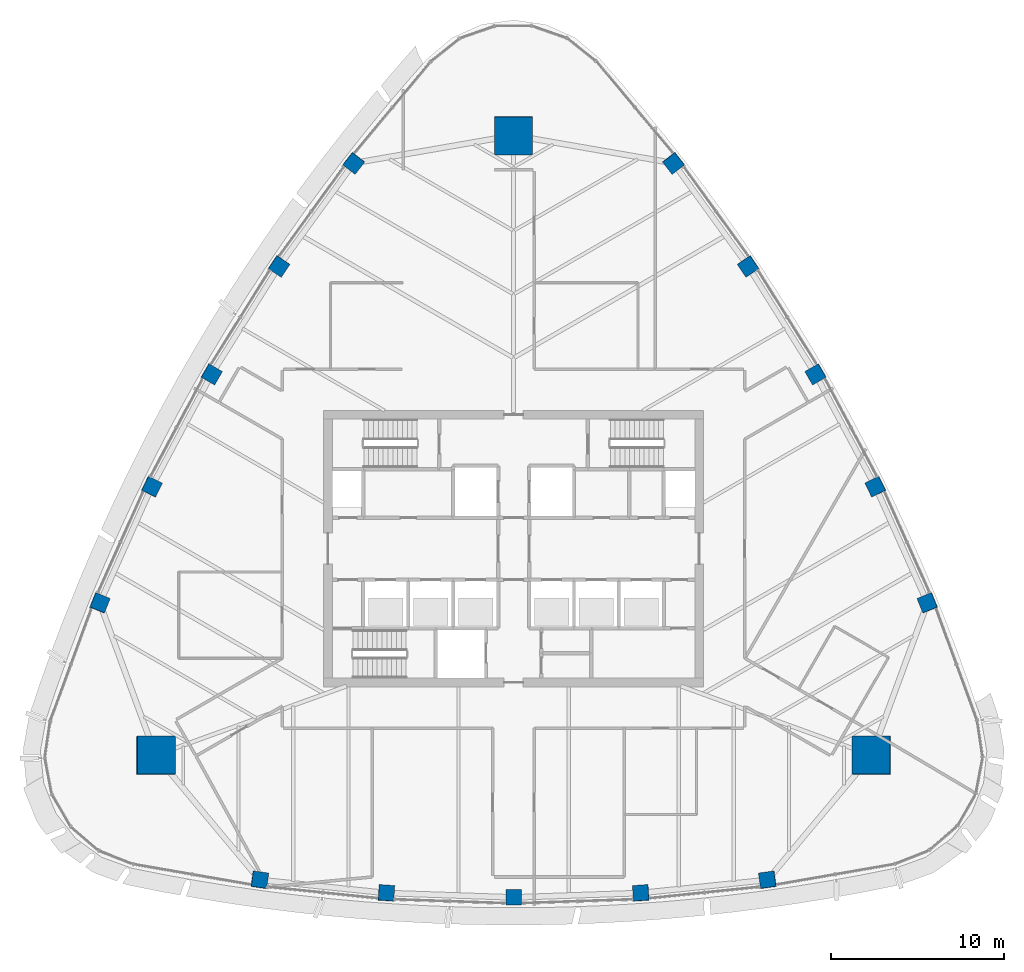
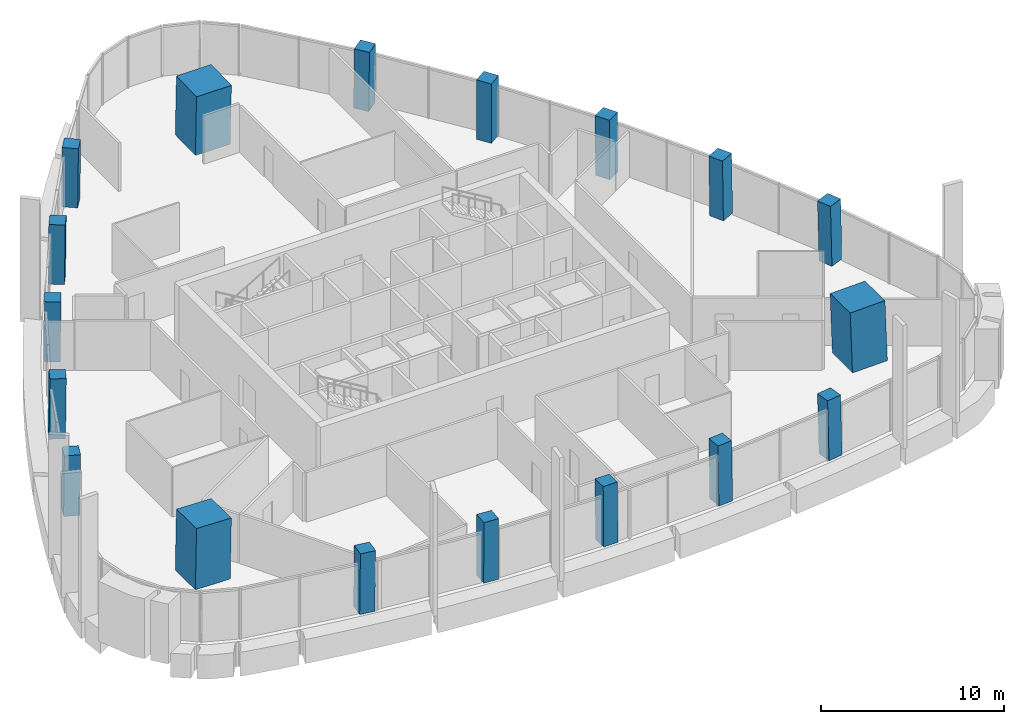
# One storey, part 1 of 18: 18 columns.
"""IFC4 building model written with IfcOpenShell, lengths in metres."""

from ifc_helpers import new_model, si_unit, direction, frame, origin, origin_2d, place, context, subcontext, project, spatial, rectangle, extrude, material, material_profile, profile_set, type_object, element, save


model = new_model("IFC4")

# Units and contexts
model_context = context("Model", 3, precision=1e-05, world=origin(), true_north=direction((0.0, 1.0)))
body_context = subcontext(model_context, "Body", "Model", "MODEL_VIEW")
ifc_project = project(units=[si_unit("LENGTHUNIT", "METRE"), si_unit("AREAUNIT", "SQUARE_METRE"), si_unit("VOLUMEUNIT", "CUBIC_METRE"), si_unit("PLANEANGLEUNIT", "RADIAN"), si_unit("MASSUNIT", "GRAM", prefix="KILO")], contexts=[model_context])

# Site, building, storey
site_placement = place(None, origin())
site = spatial("IfcSite", under=ifc_project, at=site_placement, CompositionType="ELEMENT")
building_placement = place(site_placement, origin())
building = spatial("IfcBuilding", under=site, at=building_placement, Name="Sierra Prisma Convention Tower", CompositionType="ELEMENT")
storey_placement = place(building_placement, frame((0.0, 0.0, 287.0)))
storey = spatial("IfcBuildingStorey", under=building, at=storey_placement, Name="L65", CompositionType="ELEMENT", Elevation=287.0)

# Columns
ifc_material_1 = material(Name="Concrete C50/60", Category="concrete")
ifc_material_profile_1 = material_profile(ifc_material_1, rectangle(XDim=2.199951171875, YDim=2.199951171875, at=origin_2d()), Name="Mega column RC 2200 C50/60")
ifc_profile_set_1 = profile_set([ifc_material_profile_1], Name="Concrete C50/60")
column_type_1 = type_object("IfcColumnType", Name="Mega column RC 2200 C50/60", PredefinedType="COLUMN", material=ifc_profile_set_1)
for number, where, z_axis, x_axis, name in (
    (1, (20.733154296875, -11.97021484375, 0.0), (-0.027756747396, 0.015983006193, 0.999486921619), (0.999614707262, 0.000443807261, 0.027753199115), "Mega column SE L65"),
    (2, (0.0, 23.940673828125, 0.0), (0.0, -0.032027018848, 0.999487003449), (1.0, 0.0, 0.0), "Mega column N L65"),
    (3, (-20.733154296875, -11.97021484375, 0.0), (0.027756747396, 0.015983006193, 0.999486921619), (0.999614707262, -0.000443807261, -0.027753199115), "Mega column SW L65"),
):
    element("IfcColumn", number, at=place(storey_placement, frame(where, z_axis=z_axis, x_axis=x_axis)), inside=storey, type_object=column_type_1, Name=name, PredefinedType="COLUMN", context=body_context, shape_type="SweptSolid", body=[
        extrude(rectangle(XDim=2.199951171875, YDim=2.199951171875, at=origin_2d()), origin(), (0.0, 0.0, 1.0), 4.001953125),
    ])
ifc_material_2 = material(Name="Concrete C50/60", Category="concrete")
ifc_material_profile_2 = material_profile(ifc_material_2, rectangle(XDim=0.89990234375, YDim=0.89990234375, at=origin_2d()), Name="Perimeter column RC 900 C50/60")
ifc_profile_set_2 = profile_set([ifc_material_profile_2], Name="Concrete C50/60")
column_type_2 = type_object("IfcColumnType", Name="Perimeter column RC 900 C50/60", PredefinedType="COLUMN", material=ifc_profile_set_2)
column_1_placement = place(storey_placement, frame((-14.71142578125, -19.189208984375, 0.0), z_axis=(0.017452456582, 0.010373837829, 0.999793876381), x_axis=(-0.990401248392, 0.137308803417, 0.015863785428)))
element("IfcColumn", 4, at=column_1_placement, inside=storey, type_object=column_type_2, Name="Perimeter column S-1 L65", PredefinedType="COLUMN", context=body_context, shape_type="SweptSolid", body=[
    extrude(rectangle(XDim=0.89990234375, YDim=0.89990234375, at=origin_2d()), origin(), (0.0, 0.0, 1.0), 4.000732421875),
])
column_2_placement = place(storey_placement, frame((-7.373046875, -19.94921875, 0.0), z_axis=(0.008727150594, 0.011168311599, 0.999899547784), x_axis=(-0.997597240476, 0.068823896137, 0.007938332055)))
element("IfcColumn", 5, at=column_2_placement, inside=storey, type_object=column_type_2, Name="Perimeter column S-2 L65", PredefinedType="COLUMN", context=body_context, shape_type="SweptSolid", body=[
    extrude(rectangle(XDim=0.89990234375, YDim=0.89990234375, at=origin_2d()), origin(), (0.0, 0.0, 1.0), 4.00048828125),
])
column_3_placement = place(storey_placement, frame((0.0, -20.202880859375, 0.0), z_axis=(0.0, 0.011473854038, 0.99993417317), x_axis=(1.0, 0.0, 0.0)))
element("IfcColumn", 6, at=column_3_placement, inside=storey, type_object=column_type_2, Name="Perimeter column S-3 L65", PredefinedType="COLUMN", context=body_context, shape_type="SweptSolid", body=[
    extrude(rectangle(XDim=0.89990234375, YDim=0.89990234375, at=origin_2d()), origin(), (0.0, 0.0, 1.0), 4.000244140625),
])
column_4_placement = place(storey_placement, frame((7.373046875, -19.94921875, 0.0), z_axis=(-0.008727150594, 0.011168311599, 0.999899547784), x_axis=(0.997597240476, 0.068823896137, 0.007938332055)))
element("IfcColumn", 7, at=column_4_placement, inside=storey, type_object=column_type_2, Name="Perimeter column S-4 L65", PredefinedType="COLUMN", context=body_context, shape_type="SweptSolid", body=[
    extrude(rectangle(XDim=0.89990234375, YDim=0.89990234375, at=origin_2d()), origin(), (0.0, 0.0, 1.0), 4.00048828125),
])
for number, where, z_axis, x_axis, name in (
    (8, (14.71142578125, -19.189208984375, 0.0), (-0.017452456582, 0.010373837829, 0.999793876381), (0.990401248392, 0.137308803417, 0.015863785428), "Perimeter column S-5 L65"),
    (9, (23.97412109375, -3.145751953125, 0.0), (-0.017696558482, 0.009885663704, 0.999794531627), (-0.376453127918, 0.926300544212, -0.015822271439), "Perimeter column NE-1 L65"),
):
    element("IfcColumn", number, at=place(storey_placement, frame(where, z_axis=z_axis, x_axis=x_axis)), inside=storey, type_object=column_type_2, Name=name, PredefinedType="COLUMN", context=body_context, shape_type="SweptSolid", body=[
        extrude(rectangle(XDim=0.89990234375, YDim=0.89990234375, at=origin_2d()), origin(), (0.0, 0.0, 1.0), 4.000732421875),
    ])
column_5_placement = place(storey_placement, frame((20.963134765625, 3.58935546875, 0.0), z_axis=(-0.014036676147, 0.001952928855, 0.999899573853), x_axis=(-0.439251595424, 0.898329169532, -0.007920800804)))
element("IfcColumn", 10, at=column_5_placement, inside=storey, type_object=column_type_2, Name="Perimeter column NE-2 L65", PredefinedType="COLUMN", context=body_context, shape_type="SweptSolid", body=[
    extrude(rectangle(XDim=0.89990234375, YDim=0.89990234375, at=origin_2d()), origin(), (0.0, 0.0, 1.0), 4.00048828125),
])
column_6_placement = place(storey_placement, frame((17.49609375, 10.101318359375, 0.0), z_axis=(-0.009887052741, -0.005675900648, 0.999935013058), x_axis=(-0.49997556095, 0.866039512773, -2.7732311e-05)))
element("IfcColumn", 11, at=column_6_placement, inside=storey, type_object=column_type_2, Name="Perimeter column NE-3 L65", PredefinedType="COLUMN", context=body_context, shape_type="SweptSolid", body=[
    extrude(rectangle(XDim=0.89990234375, YDim=0.89990234375, at=origin_2d()), origin(), (0.0, 0.0, 1.0), 4.000244140625),
])
column_7_placement = place(storey_placement, frame((13.58984375, 16.35986328125, 0.0), z_axis=(-0.00530952661, -0.013121243922, 0.999899815924), x_axis=(-0.558332488249, 0.829579461873, 0.007921426869)))
element("IfcColumn", 12, at=column_7_placement, inside=storey, type_object=column_type_2, Name="Perimeter column NE-4 L65", PredefinedType="COLUMN", context=body_context, shape_type="SweptSolid", body=[
    extrude(rectangle(XDim=0.89990234375, YDim=0.89990234375, at=origin_2d()), origin(), (0.0, 0.0, 1.0), 4.00048828125),
])
for number, where, z_axis, x_axis, name in (
    (13, (9.2626953125, 22.335205078125, 0.0), (-0.000244090207, -0.020320509722, 0.999793487329), (-0.614040008513, 0.789114959784, 0.01588861826), "Perimeter column NE-5 L65"),
    (14, (-9.2626953125, 22.335205078125, 0.0), (0.000244090207, -0.020320509722, 0.999793487329), (0.614040008513, 0.789114959784, 0.01588861826), "Perimeter column NW-1 L65"),
):
    element("IfcColumn", number, at=place(storey_placement, frame(where, z_axis=z_axis, x_axis=x_axis)), inside=storey, type_object=column_type_2, Name=name, PredefinedType="COLUMN", context=body_context, shape_type="SweptSolid", body=[
        extrude(rectangle(XDim=0.89990234375, YDim=0.89990234375, at=origin_2d()), origin(), (0.0, 0.0, 1.0), 4.000732421875),
    ])
column_8_placement = place(storey_placement, frame((-13.58984375, 16.35986328125, 0.0), z_axis=(0.00530952661, -0.013121243922, 0.999899815924), x_axis=(0.558332488249, 0.829579461873, 0.007921426869)))
element("IfcColumn", 15, at=column_8_placement, inside=storey, type_object=column_type_2, Name="Perimeter column NW-2 L65", PredefinedType="COLUMN", context=body_context, shape_type="SweptSolid", body=[
    extrude(rectangle(XDim=0.89990234375, YDim=0.89990234375, at=origin_2d()), origin(), (0.0, 0.0, 1.0), 4.00048828125),
])
column_9_placement = place(storey_placement, frame((-17.49609375, 10.101318359375, 0.0), z_axis=(0.009887052741, -0.005675900648, 0.999935013058), x_axis=(0.49997556095, 0.866039512773, -2.7732311e-05)))
element("IfcColumn", 16, at=column_9_placement, inside=storey, type_object=column_type_2, Name="Perimeter column NW-3 L65", PredefinedType="COLUMN", context=body_context, shape_type="SweptSolid", body=[
    extrude(rectangle(XDim=0.89990234375, YDim=0.89990234375, at=origin_2d()), origin(), (0.0, 0.0, 1.0), 4.000244140625),
])
column_10_placement = place(storey_placement, frame((-20.963134765625, 3.58935546875, 0.0), z_axis=(0.014036676147, 0.001952928855, 0.999899573853), x_axis=(0.439251595424, 0.898329169532, -0.007920800804)))
element("IfcColumn", 17, at=column_10_placement, inside=storey, type_object=column_type_2, Name="Perimeter column NW-4 L65", PredefinedType="COLUMN", context=body_context, shape_type="SweptSolid", body=[
    extrude(rectangle(XDim=0.89990234375, YDim=0.89990234375, at=origin_2d()), origin(), (0.0, 0.0, 1.0), 4.00048828125),
])
column_11_placement = place(storey_placement, frame((-23.97412109375, -3.145751953125, 0.0), z_axis=(0.017696558482, 0.009885663704, 0.999794531627), x_axis=(0.376453127918, 0.926300544212, -0.015822271439)))
element("IfcColumn", 18, at=column_11_placement, inside=storey, type_object=column_type_2, Name="Perimeter column NW-5 L65", PredefinedType="COLUMN", context=body_context, shape_type="SweptSolid", body=[
    extrude(rectangle(XDim=0.89990234375, YDim=0.89990234375, at=origin_2d()), origin(), (0.0, 0.0, 1.0), 4.000732421875),
])

save(model, "model.ifc")
